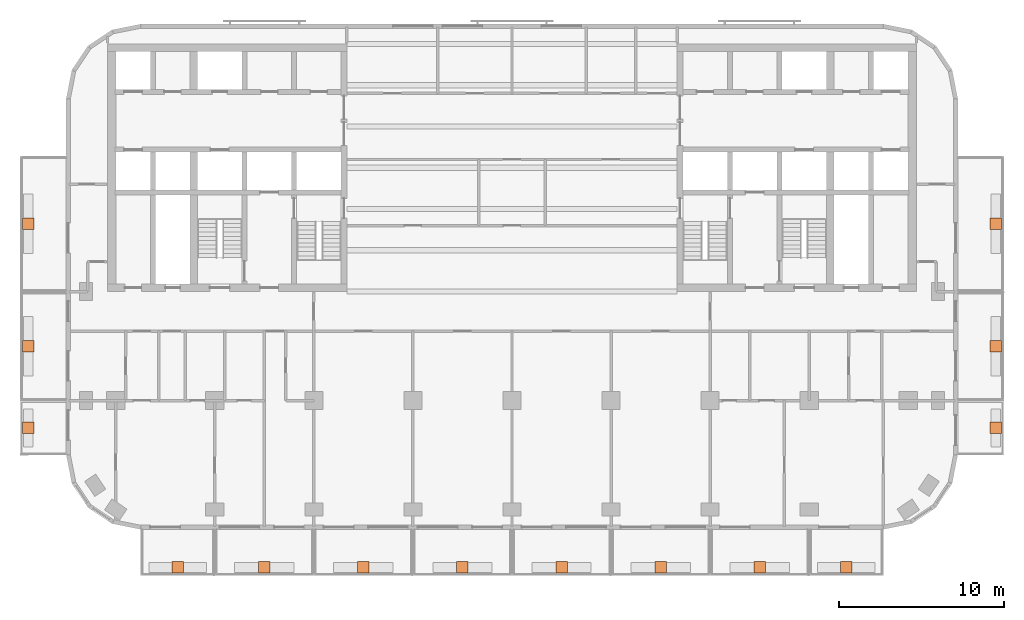
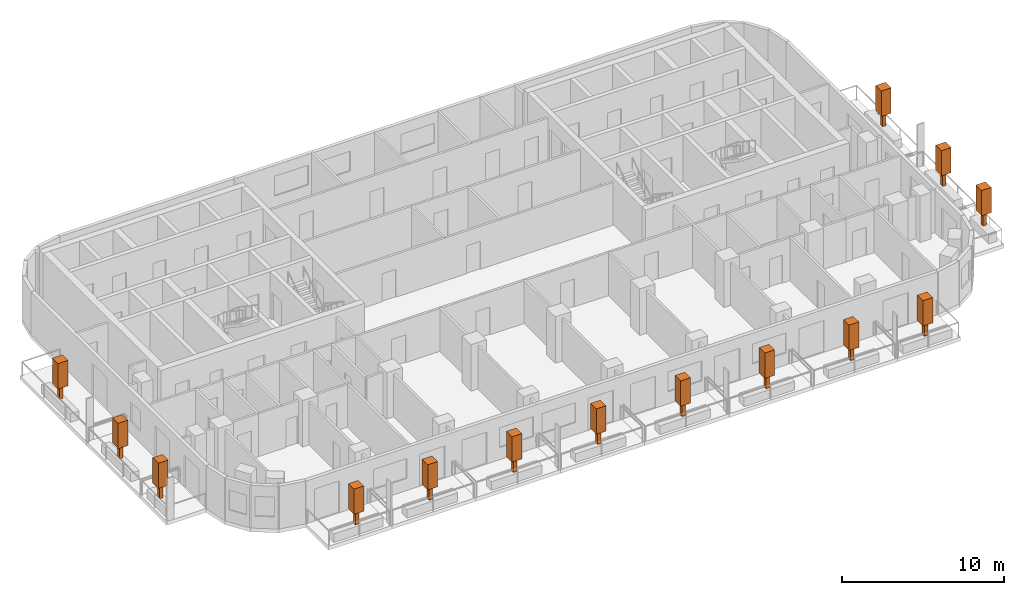
# One storey, part 11 of 11: 14 geographic elements.
"""IFC4 building model written with IfcOpenShell, lengths in metres."""

from ifc_helpers import new_model, si_unit, direction, frame, origin, origin_2d, place, context, subcontext, project, spatial, rectangle, extrude, material, element, save


model = new_model("IFC4")

# Units and contexts
model_context = context("Model", 3, precision=1e-05, world=origin(), true_north=direction((0.0, 1.0)))
body_context = subcontext(model_context, "Body", "Model", "MODEL_VIEW")
ifc_project = project(units=[si_unit("LENGTHUNIT", "METRE"), si_unit("AREAUNIT", "SQUARE_METRE"), si_unit("VOLUMEUNIT", "CUBIC_METRE"), si_unit("PLANEANGLEUNIT", "RADIAN"), si_unit("MASSUNIT", "GRAM", prefix="KILO")], contexts=[model_context])

# Site, building, storey
site_placement = place(None, origin())
site = spatial("IfcSite", under=ifc_project, at=site_placement, CompositionType="ELEMENT")
building_placement = place(site_placement, origin())
building = spatial("IfcBuilding", under=site, at=building_placement, Name="Torana Hotel and Residences", CompositionType="ELEMENT")
storey_placement = place(building_placement, frame((0.0, 0.0, 236.10009765625)))
storey = spatial("IfcBuildingStorey", under=building, at=storey_placement, Name="L62", CompositionType="ELEMENT", Elevation=236.10009765625)

# Geographic elements
ifc_material = material(Name="Foliage", Category="planting")
for number, where, z_axis, x_axis, name in (
    (1, (-20.25, -31.699951171875, 0.64990234375), (0.0, 0.0, 1.0), (1.0, 0.0, 0.0), "Tree 01"),
    (2, (-15.0, -31.699951171875, 0.64990234375), (0.0, 0.0, 1.0), (1.0, 0.0, 0.0), "Tree 02"),
    (3, (-9.0, -31.699951171875, 0.64990234375), (0.0, 0.0, 1.0), (1.0, 0.0, 0.0), "Tree 03"),
    (4, (-3.0, -31.699951171875, 0.64990234375), (0.0, 0.0, 1.0), (1.0, 0.0, 0.0), "Tree 04"),
    (5, (3.0, -31.699951171875, 0.64990234375), (0.0, 0.0, 1.0), (1.0, 0.0, 0.0), "Tree 05"),
    (6, (9.0, -31.699951171875, 0.64990234375), (0.0, 0.0, 1.0), (1.0, 0.0, 0.0), "Tree 06"),
    (7, (15.0, -31.699951171875, 0.64990234375), (0.0, 0.0, 1.0), (1.0, 0.0, 0.0), "Tree 07"),
    (8, (20.25, -31.699951171875, 0.64990234375), (0.0, 0.0, 1.0), (1.0, 0.0, 0.0), "Tree 08"),
    (9, (-29.300048828125, -23.25, 0.64990234375), (0.0, 0.0, 1.0), (1.0, 0.0, 0.0), "Tree 09"),
    (10, (-29.300048828125, -18.300048828125, 0.64990234375), (0.0, 0.0, 1.0), (1.0, 0.0, 0.0), "Tree 10"),
    (11, (-29.300048828125, -10.89990234375, 0.64990234375), (0.0, 0.0, 1.0), (1.0, 0.0, 0.0), "Tree 11"),
    (12, (29.300048828125, -23.25, 0.64990234375), (0.0, 0.0, 1.0), (1.0, 0.0, 0.0), "Tree 12"),
    (13, (29.300048828125, -18.300048828125, 0.64990234375), (0.0, 0.0, 1.0), (1.0, 0.0, 0.0), "Tree 13"),
    (14, (29.300048828125, -10.89990234375, 0.64990234375), (0.0, 0.0, 1.0), (1.0, 0.0, 0.0), "Tree 14"),
):
    element("IfcGeographicElement", number, at=place(storey_placement, frame(where, z_axis=z_axis, x_axis=x_axis)), inside=storey, material=ifc_material, Name=name, ObjectType="TREE", PredefinedType="USERDEFINED", context=body_context, shape_type="SweptSolid", body=[
        extrude(rectangle(XDim=0.25, YDim=0.25, at=origin_2d()), origin(), (0.0, 0.0, 1.0), 1.0),
        extrude(rectangle(XDim=0.699951171875, YDim=0.699951171875, at=origin_2d()), frame((0.0, 0.0, 1.0)), (0.0, 0.0, 1.0), 1.89990234375),
    ])

save(model, "model.ifc")
